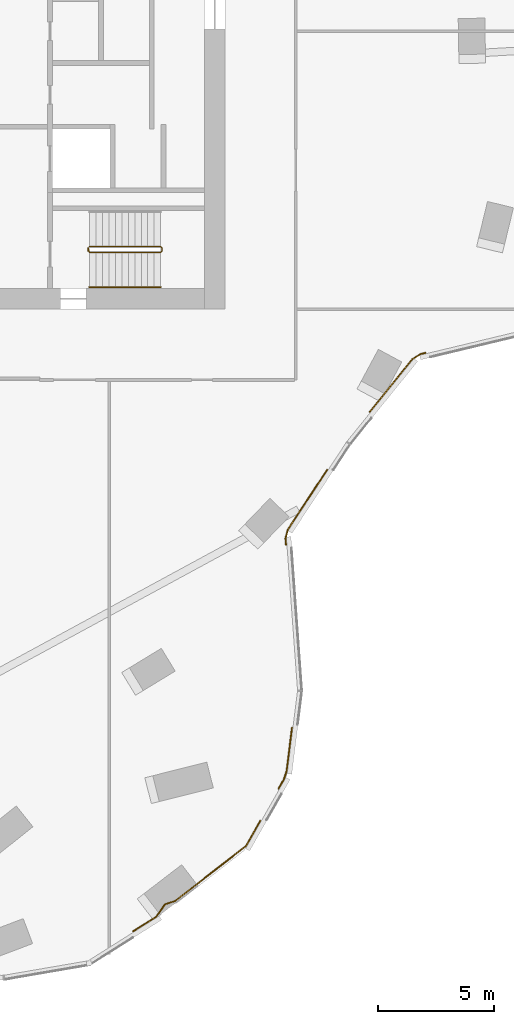
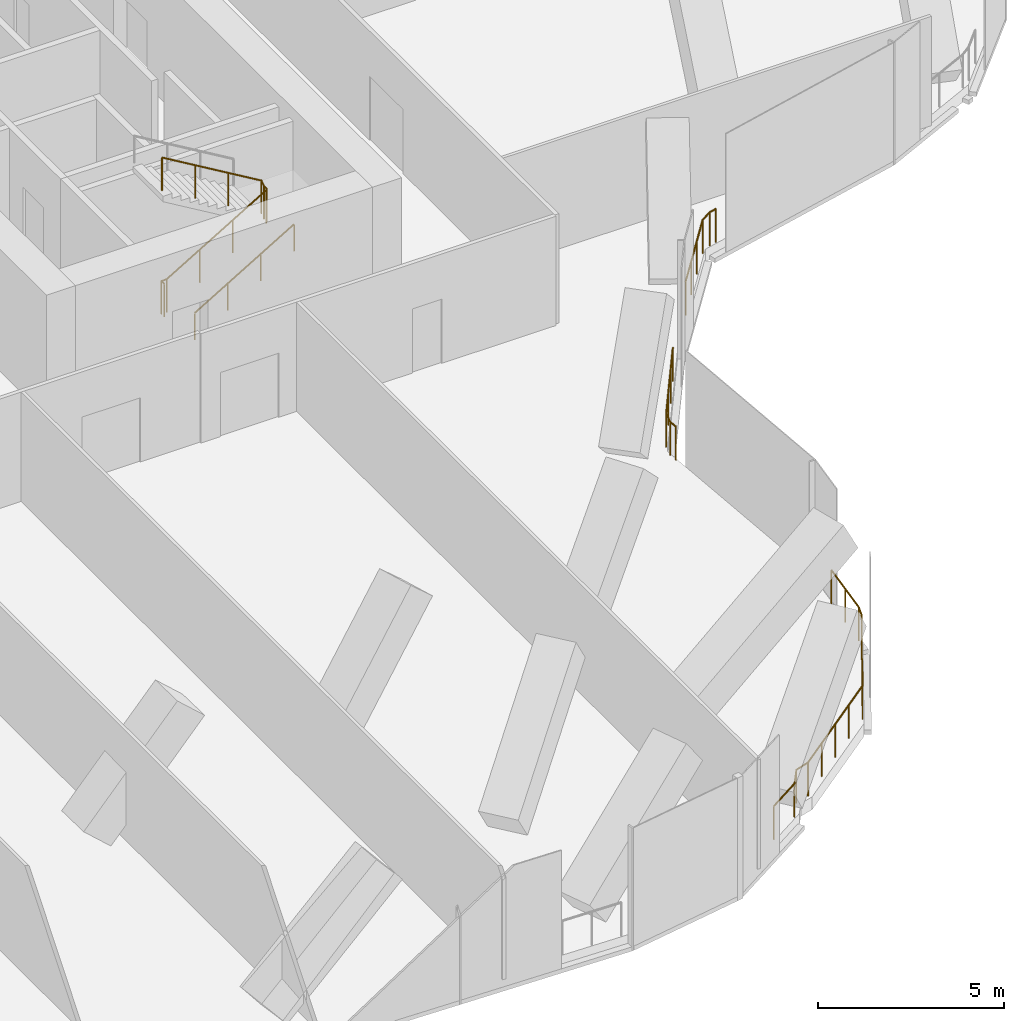
# One storey, part 24 of 26: 8 railings.
"""IFC4 building model written with IfcOpenShell, lengths in metres."""

from ifc_helpers import new_model, si_unit, direction, frame, origin, origin_2d, place, context, subcontext, project, spatial, circle, extrude, material, type_object, element, save


model = new_model("IFC4")

# Units and contexts
model_context = context("Model", 3, precision=1e-05, world=origin(), true_north=direction((0.0, 1.0)))
body_context = subcontext(model_context, "Body", "Model", "MODEL_VIEW")
ifc_project = project(units=[si_unit("LENGTHUNIT", "METRE"), si_unit("AREAUNIT", "SQUARE_METRE"), si_unit("VOLUMEUNIT", "CUBIC_METRE"), si_unit("PLANEANGLEUNIT", "RADIAN"), si_unit("MASSUNIT", "GRAM", prefix="KILO")], contexts=[model_context])

# Site, building, storey
site_placement = place(None, origin())
site = spatial("IfcSite", under=ifc_project, at=site_placement, CompositionType="ELEMENT")
building_placement = place(site_placement, origin())
building = spatial("IfcBuilding", under=site, at=building_placement, Name="Orlundy Tower", CompositionType="ELEMENT")
storey_placement = place(building_placement, frame((0.0, 0.0, 228.0)))
storey = spatial("IfcBuildingStorey", under=building, at=storey_placement, Name="L60", CompositionType="ELEMENT", Elevation=228.0)

# Railings
ifc_material_1 = material(Name="Steel balustrade", Category="steel")
railing_type_1 = type_object("IfcRailingType", Name="Stair Guard 1100", PredefinedType="GUARDRAIL", material=ifc_material_1)
railing_1_placement = place(storey_placement, frame((13.090087890625, -9.5, 0.0)))
element("IfcRailing", 1, at=railing_1_placement, inside=storey, type_object=railing_type_1, Name="L60 ST-E1 stair guard 1", PredefinedType="GUARDRAIL", context=body_context, shape_type="SweptSolid", body=[
    extrude(circle(Radius=0.02392578125, at=origin_2d()), frame((0.0, 0.0, 1.076171875), z_axis=(0.0, 1.0, 0.0), x_axis=(-1.0, 0.0, 0.0)), (0.0, 0.0, 1.0), 0.14990234375),
    extrude(circle(Radius=0.02392578125, at=origin_2d()), frame((0.0, 0.14990234375, 1.076171875), z_axis=(0.1878875253, -0.754313153044, 0.629054802844), x_axis=(0.970351222016, 0.241699205484, 0.0)), (0.0, 0.0, 1.0), 0.26513671875),
    extrude(circle(Radius=0.02392578125, at=origin_2d()), frame((0.0498046875, -0.050048828125, 1.24267578125), z_axis=(0.859308565015, 0.0, 0.511457515432), x_axis=(0.0, 1.0, 0.0)), (0.0, 0.0, 1.0), 3.58447265625),
    extrude(circle(Radius=0.02392578125, at=origin_2d()), frame((3.1298828125, -0.050048828125, 3.076171875), z_axis=(0.707106781187, 0.707106781187, 0.0), x_axis=(-0.707106781187, 0.707106781187, 0.0)), (0.0, 0.0, 1.0), 0.07080078125),
    extrude(circle(Radius=0.02392578125, at=origin_2d()), frame((3.179931640625, 0.0, 3.076171875), z_axis=(0.0, 1.0, 0.0), x_axis=(-1.0, 0.0, 0.0)), (0.0, 0.0, 1.0), 0.14990234375),
    extrude(circle(Radius=0.02392578125, at=origin_2d()), frame((3.179931640625, 0.14990234375, 3.076171875), z_axis=(-0.27628659633, 0.27628659633, 0.920506074601), x_axis=(-0.707106781187, -0.707106781187, 0.0)), (0.0, 0.0, 1.0), 0.18115234375),
    extrude(circle(Radius=0.02392578125, at=origin_2d()), frame((3.1298828125, 0.199951171875, 3.24267578125), z_axis=(-0.859308565015, 0.0, 0.511457515432), x_axis=(0.0, -1.0, 0.0)), (0.0, 0.0, 1.0), 3.58447265625),
    extrude(circle(Radius=0.02099609375, at=origin_2d()), origin(), (0.0, 0.0, 1.0), 1.052001953125),
    extrude(circle(Radius=0.02099609375, at=origin_2d()), frame((0.0, 0.14990234375, 0.0)), (0.0, 0.0, 1.0), 1.052001953125),
    extrude(circle(Radius=0.02099609375, at=origin_2d()), frame((0.0498046875, -0.050048828125, 0.166748046875)), (0.0, 0.0, 1.0), 1.052001953125),
    extrude(circle(Radius=0.02099609375, at=origin_2d()), frame((1.076416015625, -0.050048828125, 0.77783203125)), (0.0, 0.0, 1.0), 1.052001953125),
    extrude(circle(Radius=0.02099609375, at=origin_2d()), frame((2.103271484375, -0.050048828125, 1.388916015625)), (0.0, 0.0, 1.0), 1.052001953125),
    extrude(circle(Radius=0.02099609375, at=origin_2d()), frame((3.1298828125, -0.050048828125, 2.0)), (0.0, 0.0, 1.0), 1.052001953125),
    extrude(circle(Radius=0.02099609375, at=origin_2d()), frame((3.179931640625, 0.0, 2.0)), (0.0, 0.0, 1.0), 1.052001953125),
    extrude(circle(Radius=0.02099609375, at=origin_2d()), frame((3.179931640625, 0.14990234375, 2.0)), (0.0, 0.0, 1.0), 1.052001953125),
    extrude(circle(Radius=0.02099609375, at=origin_2d()), frame((3.1298828125, 0.199951171875, 2.166748046875)), (0.0, 0.0, 1.0), 1.052001953125),
    extrude(circle(Radius=0.02099609375, at=origin_2d()), frame((2.103271484375, 0.199951171875, 2.77783203125)), (0.0, 0.0, 1.0), 1.052001953125),
    extrude(circle(Radius=0.02099609375, at=origin_2d()), frame((1.076416015625, 0.199951171875, 3.388916015625)), (0.0, 0.0, 1.0), 1.052001953125),
    extrude(circle(Radius=0.02099609375, at=origin_2d()), frame((0.0498046875, 0.199951171875, 4.0)), (0.0, 0.0, 1.0), 1.052001953125),
])
ifc_material_2 = material(Name="Steel handrail", Category="steel")
railing_type_2 = type_object("IfcRailingType", Name="Stair Handrail 900", PredefinedType="HANDRAIL", material=ifc_material_2)
railing_2_placement = place(storey_placement, frame((13.139892578125, -11.050048828125, 0.166748046875)))
element("IfcRailing", 2, at=railing_2_placement, inside=storey, type_object=railing_type_2, Name="L60 ST-E1 stair handrail 1", PredefinedType="HANDRAIL", context=body_context, shape_type="SweptSolid", body=[
    extrude(circle(Radius=0.02392578125, at=origin_2d()), frame((0.0, 0.0, 0.8759765625), z_axis=(0.859308565015, 0.0, 0.511457515432), x_axis=(0.0, 1.0, 0.0)), (0.0, 0.0, 1.0), 3.58447265625),
    extrude(circle(Radius=0.02099609375, at=origin_2d()), origin(), (0.0, 0.0, 1.0), 0.851806640625),
    extrude(circle(Radius=0.02099609375, at=origin_2d()), frame((1.026611328125, 0.0, 0.611083984375)), (0.0, 0.0, 1.0), 0.851806640625),
    extrude(circle(Radius=0.02099609375, at=origin_2d()), frame((2.053466796875, 0.0, 1.22216796875)), (0.0, 0.0, 1.0), 0.851806640625),
    extrude(circle(Radius=0.02099609375, at=origin_2d()), frame((3.080078125, 0.0, 1.833251953125)), (0.0, 0.0, 1.0), 0.851806640625),
])
ifc_material_3 = material(Name="Stainless steel bronze finish", Category="steel")
railing_type_3 = type_object("IfcRailingType", Name="TG1 terrace guard", PredefinedType="GUARDRAIL", material=ifc_material_3)
railing_3_placement = place(storey_placement, frame((20.525634765625, -34.08056640625, 0.0)))
element("IfcRailing", 3, at=railing_3_placement, inside=storey, type_object=railing_type_3, Name="Guard TG-L60-E06", PredefinedType="GUARDRAIL", context=body_context, shape_type="SweptSolid", body=[
    extrude(circle(Radius=0.02490234375, at=origin_2d()), frame((0.0, 0.0, 1.09521484375), z_axis=(-0.493756159187, -0.869600399761, 0.0), x_axis=(0.869600399761, -0.493756159187, 0.0)), (0.0, 0.0, 1.0), 1.2587890625),
    extrude(circle(Radius=0.02490234375, at=origin_2d()), frame((-0.62158203125, -1.0947265625, 1.09521484375), z_axis=(-0.789911543339, -0.613220803382, 0.0), x_axis=(0.613220803382, -0.789911543339, 0.0)), (0.0, 0.0, 1.0), 3.852294921875),
    extrude(circle(Radius=0.02001953125, at=origin_2d()), origin(), (0.0, 0.0, 1.0), 1.070068359375),
    extrude(circle(Radius=0.02001953125, at=origin_2d()), frame((-0.310791015625, -0.54736328125, 0.0)), (0.0, 0.0, 1.0), 1.070068359375),
    extrude(circle(Radius=0.02001953125, at=origin_2d()), frame((-0.62158203125, -1.0947265625, 0.0)), (0.0, 0.0, 1.0), 1.070068359375),
    extrude(circle(Radius=0.02001953125, at=origin_2d()), frame((-1.38232421875, -1.685302734375, 0.0)), (0.0, 0.0, 1.0), 1.070068359375),
    extrude(circle(Radius=0.02001953125, at=origin_2d()), frame((-2.14306640625, -2.27587890625, 0.0)), (0.0, 0.0, 1.0), 1.070068359375),
    extrude(circle(Radius=0.02001953125, at=origin_2d()), frame((-2.90380859375, -2.866455078125, 0.0)), (0.0, 0.0, 1.0), 1.070068359375),
    extrude(circle(Radius=0.02001953125, at=origin_2d()), frame((-3.66455078125, -3.45703125, 0.0)), (0.0, 0.0, 1.0), 1.070068359375),
])
railing_4_placement = place(storey_placement, frame((23.40087890625, -18.941650390625, 0.0)))
element("IfcRailing", 4, at=railing_4_placement, inside=storey, type_object=railing_type_3, Name="Guard TG-L60-E011", PredefinedType="GUARDRAIL", context=body_context, shape_type="SweptSolid", body=[
    extrude(circle(Radius=0.02490234375, at=origin_2d()), frame((0.0, 0.0, 1.09521484375), z_axis=(-0.549488230309, -0.835501457061, 0.0), x_axis=(0.835501457061, -0.549488230309, 0.0)), (0.0, 0.0, 1.0), 3.076416015625),
    extrude(circle(Radius=0.02490234375, at=origin_2d()), frame((-1.6904296875, -2.5703125, 1.09521484375), z_axis=(-0.251758261548, -0.967790151708, 0.0), x_axis=(0.967790151708, -0.251758261548, 0.0)), (0.0, 0.0, 1.0), 0.404296875),
    extrude(circle(Radius=0.02490234375, at=origin_2d()), frame((-1.792236328125, -2.961669921875, 1.09521484375), z_axis=(0.072567707226, -0.997363488337, 0.0), x_axis=(0.997363488337, 0.072567707226, 0.0)), (0.0, 0.0, 1.0), 0.27587890625),
    extrude(circle(Radius=0.02001953125, at=origin_2d()), origin(), (0.0, 0.0, 1.0), 1.070068359375),
    extrude(circle(Radius=0.02001953125, at=origin_2d()), frame((-0.5634765625, -0.856689453125, 0.0)), (0.0, 0.0, 1.0), 1.070068359375),
    extrude(circle(Radius=0.02001953125, at=origin_2d()), frame((-1.126953125, -1.713623046875, 0.0)), (0.0, 0.0, 1.0), 1.070068359375),
    extrude(circle(Radius=0.02001953125, at=origin_2d()), frame((-1.6904296875, -2.5703125, 0.0)), (0.0, 0.0, 1.0), 1.070068359375),
    extrude(circle(Radius=0.02001953125, at=origin_2d()), frame((-1.792236328125, -2.961669921875, 0.0)), (0.0, 0.0, 1.0), 1.070068359375),
    extrude(circle(Radius=0.02001953125, at=origin_2d()), frame((-1.772216796875, -3.23681640625, 0.0)), (0.0, 0.0, 1.0), 1.070068359375),
])
railing_5_placement = place(storey_placement, frame((27.65185546875, -13.888671875, 0.0)))
element("IfcRailing", 5, at=railing_5_placement, inside=storey, type_object=railing_type_3, Name="Guard TG-L60-E014", PredefinedType="GUARDRAIL", context=body_context, shape_type="SweptSolid", body=[
    extrude(circle(Radius=0.02490234375, at=origin_2d()), frame((0.0, 0.0, 1.09521484375), z_axis=(-0.972406549895, -0.233292738252, 0.0), x_axis=(0.233292738252, -0.972406549895, 0.0)), (0.0, 0.0, 1.0), 0.230224609375),
    extrude(circle(Radius=0.02490234375, at=origin_2d()), frame((-0.223876953125, -0.0537109375, 1.09521484375), z_axis=(-0.845718332745, -0.533629554709, 0.0), x_axis=(0.533629554709, -0.845718332745, 0.0)), (0.0, 0.0, 1.0), 0.404541015625),
    extrude(circle(Radius=0.02490234375, at=origin_2d()), frame((-0.56591796875, -0.26953125, 1.09521484375), z_axis=(-0.629327653691, -0.77714008023, 0.0), x_axis=(0.77714008023, -0.629327653691, 0.0)), (0.0, 0.0, 1.0), 2.93017578125),
    extrude(circle(Radius=0.02001953125, at=origin_2d()), origin(), (0.0, 0.0, 1.0), 1.070068359375),
    extrude(circle(Radius=0.02001953125, at=origin_2d()), frame((-0.223876953125, -0.0537109375, 0.0)), (0.0, 0.0, 1.0), 1.070068359375),
    extrude(circle(Radius=0.02001953125, at=origin_2d()), frame((-0.56591796875, -0.26953125, 0.0)), (0.0, 0.0, 1.0), 1.070068359375),
    extrude(circle(Radius=0.02001953125, at=origin_2d()), frame((-1.1806640625, -1.028564453125, 0.0)), (0.0, 0.0, 1.0), 1.070068359375),
    extrude(circle(Radius=0.02001953125, at=origin_2d()), frame((-1.795166015625, -1.78759765625, 0.0)), (0.0, 0.0, 1.0), 1.070068359375),
    extrude(circle(Radius=0.02001953125, at=origin_2d()), frame((-2.409912109375, -2.546630859375, 0.0)), (0.0, 0.0, 1.0), 1.070068359375),
])
railing_6_placement = place(storey_placement, frame((21.88720703125, -30.07275390625, 0.0)))
element("IfcRailing", 6, at=railing_6_placement, inside=storey, type_object=railing_type_3, Name="Guard TG-L60-E021", PredefinedType="GUARDRAIL", context=body_context, shape_type="SweptSolid", body=[
    extrude(circle(Radius=0.02490234375, at=origin_2d()), frame((0.0, 0.0, 1.09521484375), z_axis=(-0.123221389892, -0.992379206288, 0.0), x_axis=(0.992379206288, -0.123221389892, 0.0)), (0.0, 0.0, 1.0), 1.88427734375),
    extrude(circle(Radius=0.02490234375, at=origin_2d()), frame((-0.232177734375, -1.869873046875, 1.09521484375), z_axis=(-0.314283083006, -0.949329312587, 0.0), x_axis=(0.949329312587, -0.314283083006, 0.0)), (0.0, 0.0, 1.0), 0.376708984375),
    extrude(circle(Radius=0.02490234375, at=origin_2d()), frame((-0.3505859375, -2.2275390625, 1.09521484375), z_axis=(-0.494128457689, -0.86938890452, 0.0), x_axis=(0.86938890452, -0.494128457689, 0.0)), (0.0, 0.0, 1.0), 0.4580078125),
    extrude(circle(Radius=0.02001953125, at=origin_2d()), origin(), (0.0, 0.0, 1.0), 1.070068359375),
    extrude(circle(Radius=0.02001953125, at=origin_2d()), frame((-0.1162109375, -0.93505859375, 0.0)), (0.0, 0.0, 1.0), 1.070068359375),
    extrude(circle(Radius=0.02001953125, at=origin_2d()), frame((-0.232177734375, -1.869873046875, 0.0)), (0.0, 0.0, 1.0), 1.070068359375),
    extrude(circle(Radius=0.02001953125, at=origin_2d()), frame((-0.3505859375, -2.2275390625, 0.0)), (0.0, 0.0, 1.0), 1.070068359375),
    extrude(circle(Radius=0.02001953125, at=origin_2d()), frame((-0.576904296875, -2.625732421875, 0.0)), (0.0, 0.0, 1.0), 1.070068359375),
])
railing_7_placement = place(storey_placement, frame((16.404052734375, -37.69189453125, 0.0)))
element("IfcRailing", 7, at=railing_7_placement, inside=storey, type_object=railing_type_3, Name="Guard TG-L60-E023", PredefinedType="GUARDRAIL", context=body_context, shape_type="SweptSolid", body=[
    extrude(circle(Radius=0.02490234375, at=origin_2d()), frame((0.0, 0.0, 1.09521484375), z_axis=(-0.568800731531, -0.822475366081, 0.0), x_axis=(0.822475366081, -0.568800731531, 0.0)), (0.0, 0.0, 1.0), 0.651611328125),
    extrude(circle(Radius=0.02490234375, at=origin_2d()), frame((-0.37060546875, -0.535888671875, 1.09521484375), z_axis=(-0.845670377641, -0.533705548389, 0.0), x_axis=(0.533705548389, -0.845670377641, 0.0)), (0.0, 0.0, 1.0), 1.182373046875),
    extrude(circle(Radius=0.02001953125, at=origin_2d()), origin(), (0.0, 0.0, 1.0), 1.070068359375),
    extrude(circle(Radius=0.02001953125, at=origin_2d()), frame((-0.37060546875, -0.535888671875, 0.0)), (0.0, 0.0, 1.0), 1.070068359375),
    extrude(circle(Radius=0.02001953125, at=origin_2d()), frame((-1.37060546875, -1.1669921875, 0.0)), (0.0, 0.0, 1.0), 1.070068359375),
])
railing_8_placement = place(storey_placement, frame((16.84228515625, -37.55224609375, 0.0)))
element("IfcRailing", 8, at=railing_8_placement, inside=storey, type_object=railing_type_3, Name="Guard TG-L60-E028", PredefinedType="GUARDRAIL", context=body_context, shape_type="SweptSolid", body=[
    extrude(circle(Radius=0.02490234375, at=origin_2d()), frame((0.0, 0.0, 1.09521484375), z_axis=(-0.952793237052, -0.30361990618, 0.0), x_axis=(0.30361990618, -0.952793237052, 0.0)), (0.0, 0.0, 1.0), 0.4599609375),
    extrude(circle(Radius=0.02001953125, at=origin_2d()), origin(), (0.0, 0.0, 1.0), 1.070068359375),
    extrude(circle(Radius=0.02001953125, at=origin_2d()), frame((-0.438232421875, -0.1396484375, 0.0)), (0.0, 0.0, 1.0), 1.070068359375),
])

save(model, "model.ifc")
